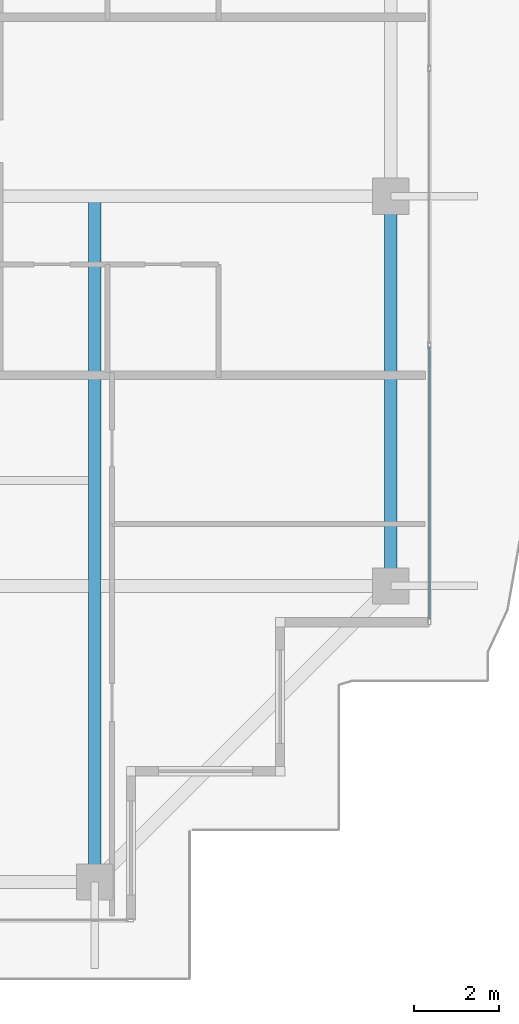
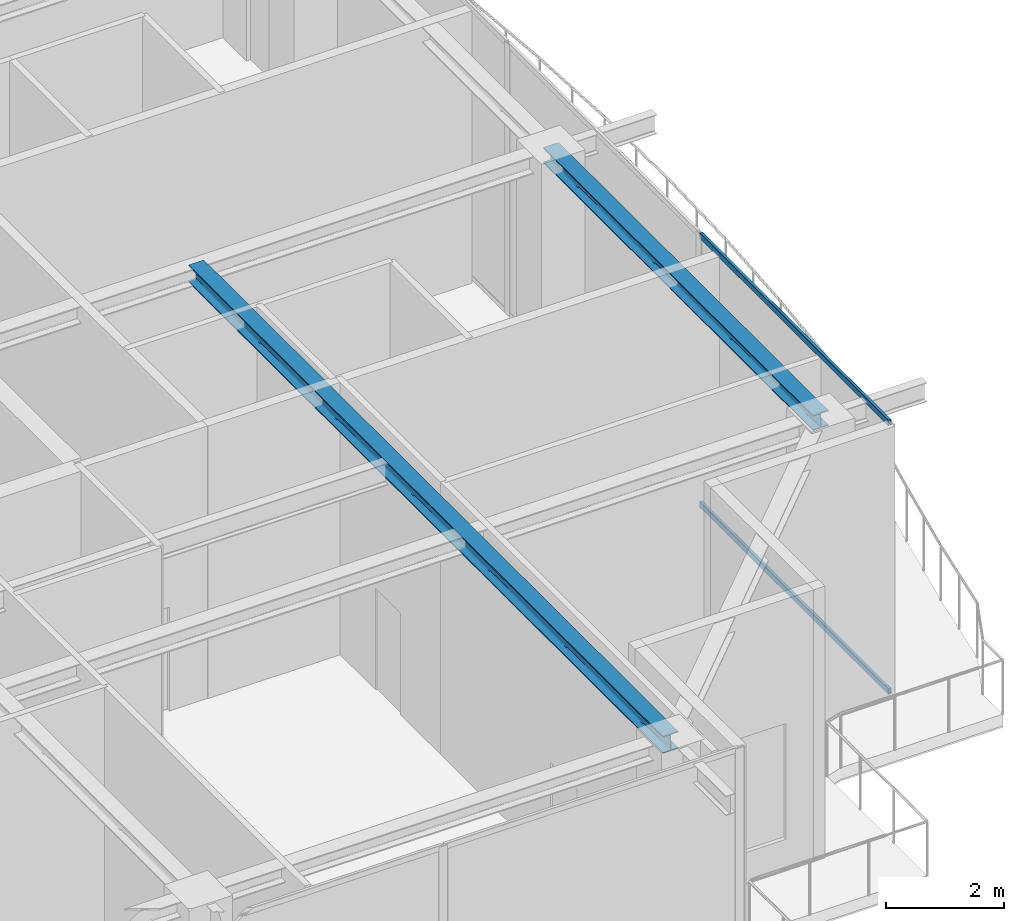
# One storey, part 15 of 40: 2 beams, 2 members, 1 element without a shape of its own.
"""IFC4 building model written with IfcOpenShell, lengths in metres."""

from ifc_helpers import new_model, si_unit, direction, frame, origin, origin_2d, place, context, subcontext, project, spatial, hollow_rectangle, i_section, extrude, source, transform, mapped, material, layer, layer_set, material_profile, profile_set, type_object, element, aggregate, save


model = new_model("IFC4")

# Units and contexts
model_context = context("Model", 3, precision=1e-05, world=origin(), true_north=direction((0.0, 1.0)))
body_context = subcontext(model_context, "Body", "Model", "MODEL_VIEW")
ifc_project = project(units=[si_unit("LENGTHUNIT", "METRE"), si_unit("AREAUNIT", "SQUARE_METRE"), si_unit("VOLUMEUNIT", "CUBIC_METRE"), si_unit("PLANEANGLEUNIT", "RADIAN"), si_unit("MASSUNIT", "GRAM", prefix="KILO")], contexts=[model_context])

# Site, building, storey
site_placement = place(None, origin())
site = spatial("IfcSite", under=ifc_project, at=site_placement, CompositionType="ELEMENT")
building_placement = place(site_placement, origin())
building = spatial("IfcBuilding", under=site, at=building_placement, Name="Serunith Strait Residences", CompositionType="ELEMENT")
storey_placement = place(building_placement, frame((0.0, 0.0, 347.949951171875)))
storey = spatial("IfcBuildingStorey", under=building, at=storey_placement, Name="L86", CompositionType="ELEMENT", Elevation=347.949951171875)

# Beams
ifc_material_1 = material(Name="Steel S355J2", Category="steel")
ifc_material_profile_1 = material_profile(ifc_material_1, i_section(OverallWidth=0.300048828125, OverallDepth=0.360107421875, WebThickness=0.012451171875, FlangeThickness=0.0224609375, FilletRadius=0.027099609375, at=origin_2d()), Name="HEB 360")
ifc_profile_set_1 = profile_set([ifc_material_profile_1], Name="Steel S355J2")
beam_type_1 = type_object("IfcBeamType", Name="BM-HEB360", PredefinedType="BEAM", material=ifc_profile_set_1)
shared_shape_1 = source(origin(), body_context, "Body", "SweptSolid", [
    extrude(i_section(OverallWidth=0.300048828125, OverallDepth=0.360107421875, WebThickness=0.012451171875, FlangeThickness=0.0224609375, FilletRadius=0.027099609375, at=origin_2d()), origin(), (0.0, 0.0, 1.0), 16.10009765625),
])
beam_1_placement = place(storey_placement, frame((46.14990234375, 21.0, 5.45703125), z_axis=(0.0, -1.0, 0.0), x_axis=(1.0, 0.0, 0.0)))
element("IfcBeam", 1, at=beam_1_placement, inside=storey, type_object=beam_type_1, Name="L86 Orthogonal Corner Girder TC-S4", PredefinedType="BEAM", context=body_context, shape_type="MappedRepresentation", body=[
    mapped(shared_shape_1, transform((0.0, 0.0, 0.0), scale=1.0)),
])
ifc_material_profile_2 = material_profile(ifc_material_1, i_section(OverallWidth=0.300048828125, OverallDepth=0.320068359375, WebThickness=0.011474609375, FlangeThickness=0.0205078125, FilletRadius=0.027099609375, at=origin_2d()), Name="HEB 320")
ifc_profile_set_2 = profile_set([ifc_material_profile_2], Name="Steel S355J2")
beam_type_2 = type_object("IfcBeamType", Name="BM-HEB320", PredefinedType="BEAM", material=ifc_profile_set_2)
shared_shape_2 = source(origin(), body_context, "Body", "SweptSolid", [
    extrude(i_section(OverallWidth=0.300048828125, OverallDepth=0.320068359375, WebThickness=0.011474609375, FlangeThickness=0.0205078125, FilletRadius=0.027099609375, at=origin_2d()), origin(), (0.0, 0.0, 1.0), 9.14990234375),
])
beam_2_placement = place(storey_placement, frame((53.10009765625, 11.85009765625, 5.47705078125), z_axis=(0.0, 1.0, 0.0), x_axis=(-1.0, 0.0, 0.0)))
element("IfcBeam", 2, at=beam_2_placement, inside=storey, type_object=beam_type_2, Name="L86 Perimeter Ring Beam 05", PredefinedType="BEAM", context=body_context, shape_type="MappedRepresentation", body=[
    mapped(shared_shape_2, transform((0.0, 0.0, 0.0), scale=1.0)),
])

# Curtain wall, members
ifc_material_2 = material(Name="Brushed Stainless-Silver Aluminium", Category="aluminium")
ifc_layer = layer(ifc_material_2, 0.199951171875, Name="Brushed Stainless-Silver Aluminium")
ifc_layer_set = layer_set([ifc_layer], Name="Brushed Stainless-Silver Aluminium")
curtain_wall_type = type_object("IfcCurtainWallType", Name="CW-SYS5", PredefinedType="NOTDEFINED", material=ifc_layer_set)
curtain_wall_placement = place(storey_placement, origin())
curtain_wall = element("IfcCurtainWall", 3, at=curtain_wall_placement, inside=storey, type_object=curtain_wall_type, Name="L86 E Unitised Fritted Curtain Wall", PredefinedType="NOTDEFINED")
ifc_material_profile_3 = material_profile(ifc_material_2, hollow_rectangle(XDim=0.06005859375, YDim=0.1201171875, WallThickness=0.00341796875, InnerFilletRadius=0.00537109375, OuterFilletRadius=0.0087890625, at=origin_2d()), Name="ALU 120x60x3.5")
ifc_profile_set_3 = profile_set([ifc_material_profile_3], Name="Brushed Stainless-Silver Aluminium")
member_type = type_object("IfcMemberType", Name="CW-SYS5-TRAN", PredefinedType="USERDEFINED", material=ifc_profile_set_3)
shared_shape_3 = source(origin(), body_context, "Body", "SweptSolid", [
    extrude(hollow_rectangle(XDim=0.06005859375, YDim=0.1201171875, WallThickness=0.00341796875, InnerFilletRadius=0.00537109375, OuterFilletRadius=0.0087890625, at=origin_2d()), origin(), (0.0, 0.0, 1.0), 6.402587890625),
])
member_1_placement = place(storey_placement, frame((54.0, 11.06494140625, 0.030029296875), z_axis=(0.0, 1.0, 0.0), x_axis=(-1.0, 0.0, 0.0)))
member_1 = element("IfcMember", 4, at=member_1_placement, type_object=member_type, Name="CW-5 transom 1.1", ObjectType="TRANSOM", PredefinedType="USERDEFINED", context=body_context, shape_type="MappedRepresentation", body=[
    mapped(shared_shape_3, transform((0.0, 0.0, 0.0), scale=1.0)),
])
member_2_placement = place(storey_placement, frame((54.0, 11.06494140625, 5.594970703125), z_axis=(0.0, 1.0, 0.0), x_axis=(-1.0, 0.0, 0.0)))
member_2 = element("IfcMember", 5, at=member_2_placement, type_object=member_type, Name="CW-5 transom 1.2", ObjectType="TRANSOM", PredefinedType="USERDEFINED", context=body_context, shape_type="MappedRepresentation", body=[
    mapped(shared_shape_3, transform((0.0, 0.0, 0.0), scale=1.0)),
])
aggregate(curtain_wall, [member_1, member_2])

save(model, "model.ifc")
